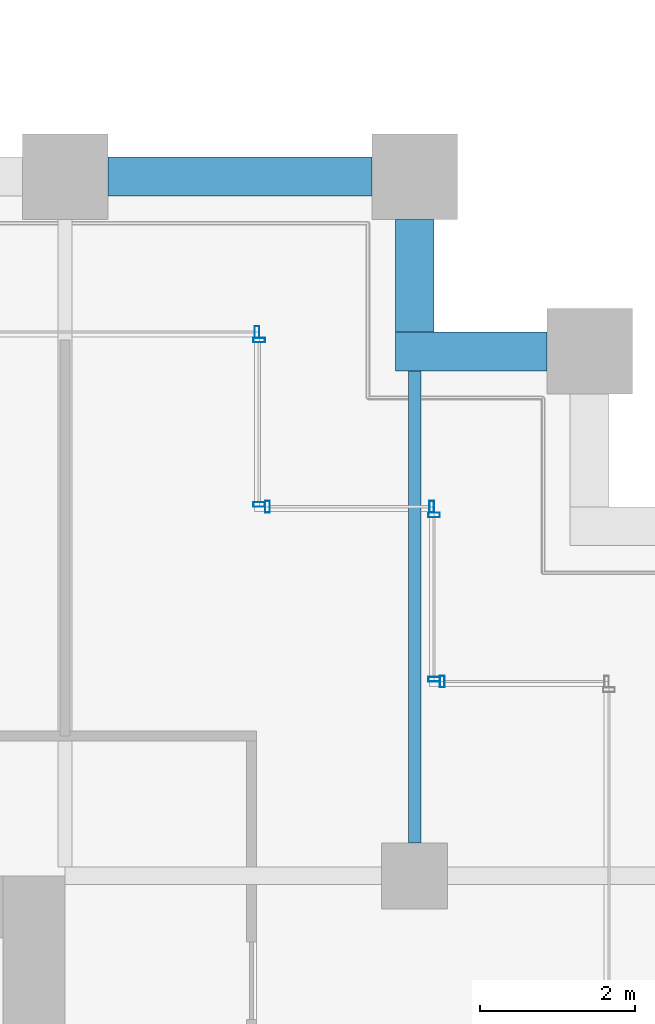
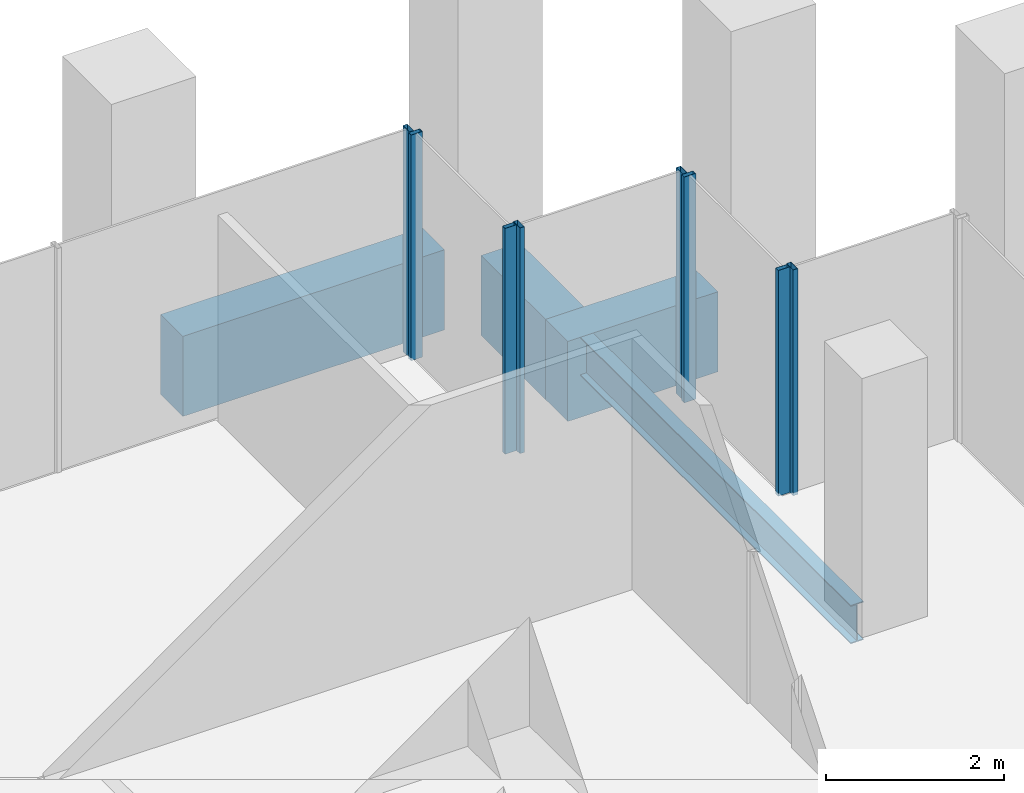
# One storey, part 45 of 54: 8 members, 4 beams, 5 elements without a shape of their own.
"""IFC4 building model written with IfcOpenShell, lengths in metres."""

from ifc_helpers import new_model, si_unit, direction, frame, origin, origin_2d, place, context, subcontext, project, spatial, rectangle, hollow_rectangle, i_section, extrude, material, material_profile, profile_set, type_object, element, aggregate, save


model = new_model("IFC4")

# Units and contexts
model_context = context("Model", 3, precision=1e-05, world=origin(), true_north=direction((0.0, 1.0)))
body_context = subcontext(model_context, "Body", "Model", "MODEL_VIEW")
ifc_project = project(units=[si_unit("LENGTHUNIT", "METRE"), si_unit("AREAUNIT", "SQUARE_METRE"), si_unit("VOLUMEUNIT", "CUBIC_METRE"), si_unit("PLANEANGLEUNIT", "RADIAN"), si_unit("MASSUNIT", "GRAM", prefix="KILO")], contexts=[model_context])

# Site, building, storey
site_placement = place(None, origin())
site = spatial("IfcSite", under=ifc_project, at=site_placement, CompositionType="ELEMENT")
building_placement = place(site_placement, origin())
building = spatial("IfcBuilding", under=site, at=building_placement, Name="Altepetl Exchange Towers", CompositionType="ELEMENT")
storey_placement = place(building_placement, frame((0.0, 0.0, 61.800048828125)))
storey = spatial("IfcBuildingStorey", under=building, at=storey_placement, Name="L14", CompositionType="ELEMENT", Elevation=61.800048828125)

# Beam
ifc_material_1 = material(Name="Steel S355", Category="steel")
ifc_material_profile_1 = material_profile(ifc_material_1, i_section(OverallWidth=0.166015625, OverallDepth=0.529052734375, WebThickness=0.009765625, FlangeThickness=0.013671875, at=origin_2d()), Name="W21X50")
ifc_profile_set_1 = profile_set([ifc_material_profile_1], Name="Steel S355")
beam_type_1 = type_object("IfcBeamType", Name="Floor beam W21X50", PredefinedType="BEAM", material=ifc_profile_set_1)
beam_1_placement = place(storey_placement, frame((121.5, 49.925048828125, -0.41455078125), z_axis=(0.0, 1.0, 0.0), x_axis=(-1.0, 0.0, 0.0)))
element("IfcBeam", 1, at=beam_1_placement, inside=storey, type_object=beam_type_1, Name="bm:B:L14:003", PredefinedType="BEAM", context=body_context, shape_type="SweptSolid", body=[
    extrude(i_section(OverallWidth=0.166015625, OverallDepth=0.529052734375, WebThickness=0.009765625, FlangeThickness=0.013671875, at=origin_2d()), origin(), (0.0, 0.0, 1.0), 6.074951171875),
])

# Curtain wall, member
ifc_material_2 = material(Name="Aluminium 6063-T6 glazing", Category="aluminium")
curtain_wall_type = type_object("IfcCurtainWallType", Name="Loggia glazing system", PredefinedType="NOTDEFINED", material=ifc_material_2)
curtain_wall_1_placement = place(storey_placement, origin())
curtain_wall_1 = element("IfcCurtainWall", 2, at=curtain_wall_1_placement, inside=storey, type_object=curtain_wall_type, Name="CW1 run", PredefinedType="NOTDEFINED")
ifc_material_3 = material(Name="Aluminium 6063-T6", Category="aluminium")
ifc_material_profile_2 = material_profile(ifc_material_3, hollow_rectangle(XDim=0.06005859375, YDim=0.14990234375, WallThickness=0.0029296875, at=origin_2d()), Name="Mullion 60x150 aluminium")
ifc_profile_set_2 = profile_set([ifc_material_profile_2], Name="Aluminium 6063-T6")
member_type = type_object("IfcMemberType", Name="Mullion 60x150 aluminium", PredefinedType="MULLION", material=ifc_profile_set_2)
member_1_placement = place(storey_placement, frame((121.85498046875, 52.0, 0.0), z_axis=(0.0, 0.0, 1.0), x_axis=(-1.0, 0.0, 0.0)))
member_1 = element("IfcMember", 3, at=member_1_placement, type_object=member_type, Name="MU1 mullion", PredefinedType="MULLION", context=body_context, shape_type="SweptSolid", body=[
    extrude(hollow_rectangle(XDim=0.06005859375, YDim=0.14990234375, WallThickness=0.0029296875, at=origin_2d()), origin(), (0.0, 0.0, 1.0), 3.099853515625),
])
aggregate(curtain_wall_1, [member_1])

# Curtain wall, members
curtain_wall_2_placement = place(storey_placement, origin())
curtain_wall_2 = element("IfcCurtainWall", 4, at=curtain_wall_2_placement, inside=storey, type_object=curtain_wall_type, Name="CW1 run", PredefinedType="NOTDEFINED")
member_2_placement = place(storey_placement, frame((121.75, 52.030029296875, 0.0), z_axis=(0.0, 0.0, 1.0), x_axis=(0.0, 1.0, 0.0)))
member_2 = element("IfcMember", 5, at=member_2_placement, type_object=member_type, Name="MU1 mullion", PredefinedType="MULLION", context=body_context, shape_type="SweptSolid", body=[
    extrude(hollow_rectangle(XDim=0.06005859375, YDim=0.14990234375, WallThickness=0.0029296875, at=origin_2d()), origin(), (0.0, 0.0, 1.0), 3.099853515625),
])
member_3_placement = place(storey_placement, frame((121.75, 54.14501953125, 0.0), z_axis=(0.0, 0.0, 1.0), x_axis=(0.0, 1.0, 0.0)))
member_3 = element("IfcMember", 6, at=member_3_placement, type_object=member_type, Name="MU1 mullion", PredefinedType="MULLION", context=body_context, shape_type="SweptSolid", body=[
    extrude(hollow_rectangle(XDim=0.06005859375, YDim=0.14990234375, WallThickness=0.0029296875, at=origin_2d()), origin(), (0.0, 0.0, 1.0), 3.099853515625),
])
aggregate(curtain_wall_2, [member_2, member_3])

curtain_wall_3_placement = place(storey_placement, origin())
curtain_wall_3 = element("IfcCurtainWall", 7, at=curtain_wall_3_placement, inside=storey, type_object=curtain_wall_type, Name="CW1 run", PredefinedType="NOTDEFINED")
member_4_placement = place(storey_placement, frame((121.719970703125, 54.25, 0.0), z_axis=(0.0, 0.0, 1.0), x_axis=(-1.0, 0.0, 0.0)))
member_4 = element("IfcMember", 8, at=member_4_placement, type_object=member_type, Name="MU1 mullion", PredefinedType="MULLION", context=body_context, shape_type="SweptSolid", body=[
    extrude(hollow_rectangle(XDim=0.06005859375, YDim=0.14990234375, WallThickness=0.0029296875, at=origin_2d()), origin(), (0.0, 0.0, 1.0), 3.099853515625),
])
member_5_placement = place(storey_placement, frame((119.60498046875, 54.25, 0.0), z_axis=(0.0, 0.0, 1.0), x_axis=(-1.0, 0.0, 0.0)))
member_5 = element("IfcMember", 9, at=member_5_placement, type_object=member_type, Name="MU1 mullion", PredefinedType="MULLION", context=body_context, shape_type="SweptSolid", body=[
    extrude(hollow_rectangle(XDim=0.06005859375, YDim=0.14990234375, WallThickness=0.0029296875, at=origin_2d()), origin(), (0.0, 0.0, 1.0), 3.099853515625),
])
aggregate(curtain_wall_3, [member_4, member_5])

curtain_wall_4_placement = place(storey_placement, origin())
curtain_wall_4 = element("IfcCurtainWall", 10, at=curtain_wall_4_placement, inside=storey, type_object=curtain_wall_type, Name="CW1 run", PredefinedType="NOTDEFINED")
member_6_placement = place(storey_placement, frame((119.5, 54.280029296875, 0.0), z_axis=(0.0, 0.0, 1.0), x_axis=(0.0, 1.0, 0.0)))
member_6 = element("IfcMember", 11, at=member_6_placement, type_object=member_type, Name="MU1 mullion", PredefinedType="MULLION", context=body_context, shape_type="SweptSolid", body=[
    extrude(hollow_rectangle(XDim=0.06005859375, YDim=0.14990234375, WallThickness=0.0029296875, at=origin_2d()), origin(), (0.0, 0.0, 1.0), 3.099853515625),
])
member_7_placement = place(storey_placement, frame((119.5, 56.39501953125, 0.0), z_axis=(0.0, 0.0, 1.0), x_axis=(0.0, 1.0, 0.0)))
member_7 = element("IfcMember", 12, at=member_7_placement, type_object=member_type, Name="MU1 mullion", PredefinedType="MULLION", context=body_context, shape_type="SweptSolid", body=[
    extrude(hollow_rectangle(XDim=0.06005859375, YDim=0.14990234375, WallThickness=0.0029296875, at=origin_2d()), origin(), (0.0, 0.0, 1.0), 3.099853515625),
])
aggregate(curtain_wall_4, [member_6, member_7])

# Curtain wall, member
curtain_wall_5_placement = place(storey_placement, origin())
curtain_wall_5 = element("IfcCurtainWall", 13, at=curtain_wall_5_placement, inside=storey, type_object=curtain_wall_type, Name="CW1 run", PredefinedType="NOTDEFINED")
member_8_placement = place(storey_placement, frame((119.469970703125, 56.5, 0.0), z_axis=(0.0, 0.0, 1.0), x_axis=(-1.0, 0.0, 0.0)))
member_8 = element("IfcMember", 14, at=member_8_placement, type_object=member_type, Name="MU1 mullion", PredefinedType="MULLION", context=body_context, shape_type="SweptSolid", body=[
    extrude(hollow_rectangle(XDim=0.06005859375, YDim=0.14990234375, WallThickness=0.0029296875, at=origin_2d()), origin(), (0.0, 0.0, 1.0), 3.099853515625),
])
aggregate(curtain_wall_5, [member_8])

# Beams
ifc_material_4 = material(Name="Concrete C50/60 precast with cantera amarilla facing", Category="concrete")
ifc_material_profile_3 = material_profile(ifc_material_4, rectangle(XDim=0.5, YDim=1.10009765625, at=origin_2d()), Name="500 x 1100")
ifc_profile_set_3 = profile_set([ifc_material_profile_3], Name="Concrete C50/60 precast with cantera amarilla facing")
beam_type_2 = type_object("IfcBeamType", Name="Spandrel beam 500x1100 cantera amarilla", PredefinedType="SPANDREL", material=ifc_profile_set_3)
beam_2_placement = place(storey_placement, frame((123.199951171875, 56.25, -0.699951171875), z_axis=(-1.0, 0.0, 0.0), x_axis=(0.0, -1.0, 0.0)))
element("IfcBeam", 15, at=beam_2_placement, inside=storey, type_object=beam_type_2, Name="sp:B:L14:016", PredefinedType="SPANDREL", context=body_context, shape_type="SweptSolid", body=[
    extrude(rectangle(XDim=0.5, YDim=1.10009765625, at=origin_2d()), origin(), (0.0, 0.0, 1.0), 1.949951171875),
])
beam_3_placement = place(storey_placement, frame((121.5, 56.5, -0.699951171875), z_axis=(0.0, 1.0, 0.0), x_axis=(-1.0, 0.0, 0.0)))
element("IfcBeam", 16, at=beam_3_placement, inside=storey, type_object=beam_type_2, Name="sp:B:L14:017", PredefinedType="SPANDREL", context=body_context, shape_type="SweptSolid", body=[
    extrude(rectangle(XDim=0.5, YDim=1.10009765625, at=origin_2d()), origin(), (0.0, 0.0, 1.0), 1.449951171875),
])
beam_4_placement = place(storey_placement, frame((120.949951171875, 58.5, -0.699951171875), z_axis=(-1.0, 0.0, 0.0), x_axis=(0.0, -1.0, 0.0)))
element("IfcBeam", 17, at=beam_4_placement, inside=storey, type_object=beam_type_2, Name="sp:B:L14:018", PredefinedType="SPANDREL", context=body_context, shape_type="SweptSolid", body=[
    extrude(rectangle(XDim=0.5, YDim=1.10009765625, at=origin_2d()), origin(), (0.0, 0.0, 1.0), 3.39990234375),
])

save(model, "model.ifc")
